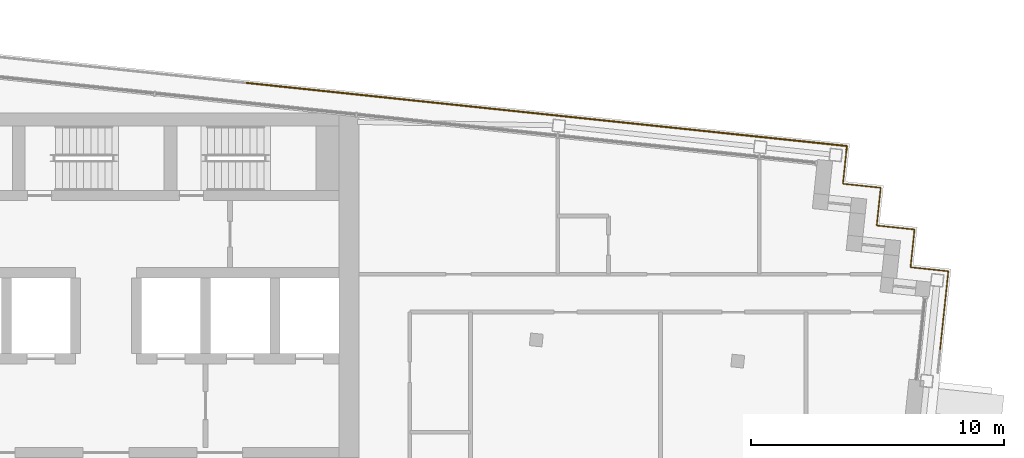
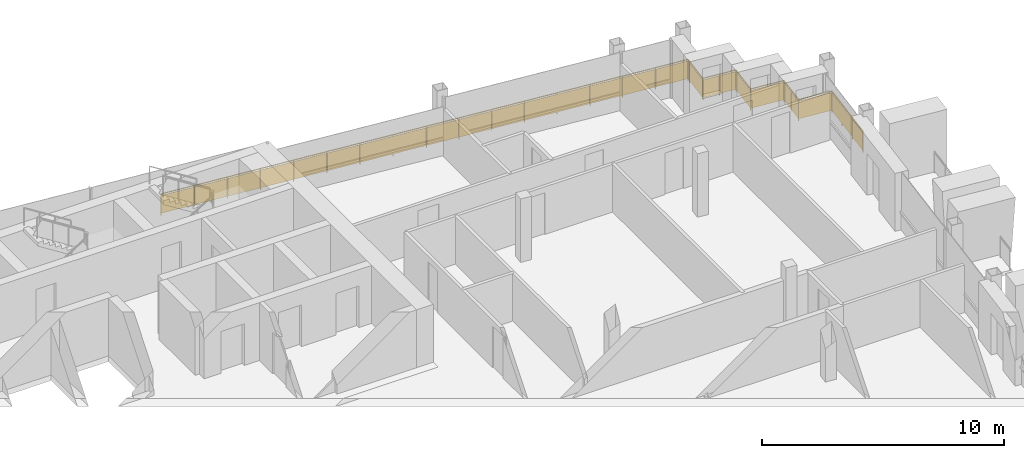
# One storey, part 17 of 17: 3 railings.
"""IFC4 building model written with IfcOpenShell, lengths in metres."""

from ifc_helpers import new_model, si_unit, direction, frame, origin, origin_2d, place, context, subcontext, project, spatial, rectangle, circle, extrude, material, type_object, element, save


model = new_model("IFC4")

# Units and contexts
model_context = context("Model", 3, precision=1e-05, world=origin(), true_north=direction((0.0, 1.0)))
body_context = subcontext(model_context, "Body", "Model", "MODEL_VIEW")
ifc_project = project(units=[si_unit("LENGTHUNIT", "METRE"), si_unit("AREAUNIT", "SQUARE_METRE"), si_unit("VOLUMEUNIT", "CUBIC_METRE"), si_unit("PLANEANGLEUNIT", "RADIAN"), si_unit("MASSUNIT", "GRAM", prefix="KILO")], contexts=[model_context])

# Site, building, storey
site_placement = place(None, origin())
site = spatial("IfcSite", under=ifc_project, at=site_placement, CompositionType="ELEMENT")
building_placement = place(site_placement, origin())
building = spatial("IfcBuilding", under=site, at=building_placement, Name="Vidyagriha Tower", CompositionType="ELEMENT")
storey_placement = place(building_placement, frame((0.0, 0.0, 269.10009765625)))
storey = spatial("IfcBuildingStorey", under=building, at=storey_placement, Name="L70", CompositionType="ELEMENT", Elevation=269.10009765625)

# Railings
ifc_material = material(Name="Steel ASTM A500 Grade C black painted", Category="steel")
railing_type = type_object("IfcRailingType", Name="Gallery guard 1100", PredefinedType="GUARDRAIL", material=ifc_material)
railing_1_placement = place(storey_placement, frame((5.55224609375, 21.196533203125, 0.0)))
element("IfcRailing", 1, at=railing_1_placement, inside=storey, type_object=railing_type, Name="Gallery guard L70 7", PredefinedType="GUARDRAIL", context=body_context, shape_type="SweptSolid", body=[
    extrude(circle(Radius=0.02490234375, at=origin_2d()), frame((0.0, 0.0, 1.0751953125), z_axis=(0.994521271903, -0.104534394972, 0.0), x_axis=(0.104534394972, 0.994521271903, 0.0)), (0.0, 0.0, 1.0), 11.999755859375),
    extrude(circle(Radius=0.02001953125, at=origin_2d()), origin(), (0.0, 0.0, 1.0), 1.050048828125),
    extrude(circle(Radius=0.02001953125, at=origin_2d()), frame((1.49169921875, -0.15673828125, 0.0)), (0.0, 0.0, 1.0), 1.050048828125),
    extrude(circle(Radius=0.02001953125, at=origin_2d()), frame((2.9833984375, -0.3134765625, 0.0)), (0.0, 0.0, 1.0), 1.050048828125),
    extrude(circle(Radius=0.02001953125, at=origin_2d()), frame((4.475341796875, -0.470458984375, 0.0)), (0.0, 0.0, 1.0), 1.050048828125),
    extrude(circle(Radius=0.02001953125, at=origin_2d()), frame((5.967041015625, -0.627197265625, 0.0)), (0.0, 0.0, 1.0), 1.050048828125),
    extrude(circle(Radius=0.02001953125, at=origin_2d()), frame((7.458740234375, -0.783935546875, 0.0)), (0.0, 0.0, 1.0), 1.050048828125),
    extrude(circle(Radius=0.02001953125, at=origin_2d()), frame((8.95068359375, -0.94091796875, 0.0)), (0.0, 0.0, 1.0), 1.050048828125),
    extrude(circle(Radius=0.02001953125, at=origin_2d()), frame((10.4423828125, -1.09765625, 0.0)), (0.0, 0.0, 1.0), 1.050048828125),
    extrude(circle(Radius=0.02001953125, at=origin_2d()), frame((11.93408203125, -1.25439453125, 0.0)), (0.0, 0.0, 1.0), 1.050048828125),
    extrude(rectangle(XDim=0.010009765625, YDim=0.900146484375, at=origin_2d()), frame((0.0, 0.0, 0.550048828125), z_axis=(0.994521271903, -0.104534394972, 0.0), x_axis=(0.104534394972, 0.994521271903, 0.0)), (0.0, 0.0, 1.0), 11.999755859375),
])
railing_2_placement = place(storey_placement, frame((17.486328125, 19.942138671875, 0.0)))
element("IfcRailing", 2, at=railing_2_placement, inside=storey, type_object=railing_type, Name="Gallery guard L70 8", PredefinedType="GUARDRAIL", context=body_context, shape_type="SweptSolid", body=[
    extrude(circle(Radius=0.02490234375, at=origin_2d()), frame((0.0, 0.0, 1.0751953125), z_axis=(0.994522500633, -0.104522704396, 0.0), x_axis=(0.104522704396, 0.994522500633, 0.0)), (0.0, 0.0, 1.0), 11.840087890625),
    extrude(circle(Radius=0.02490234375, at=origin_2d()), frame((11.775146484375, -1.237548828125, 1.0751953125), z_axis=(-0.105240535143, -0.994446795843, 0.0), x_axis=(0.994446795843, -0.105240535143, 0.0)), (0.0, 0.0, 1.0), 0.16015625),
    extrude(circle(Radius=0.02001953125, at=origin_2d()), origin(), (0.0, 0.0, 1.0), 1.050048828125),
    extrude(circle(Radius=0.02001953125, at=origin_2d()), frame((1.471923828125, -0.15478515625, 0.0)), (0.0, 0.0, 1.0), 1.050048828125),
    extrude(circle(Radius=0.02001953125, at=origin_2d()), frame((2.94384765625, -0.309326171875, 0.0)), (0.0, 0.0, 1.0), 1.050048828125),
    extrude(circle(Radius=0.02001953125, at=origin_2d()), frame((4.415771484375, -0.464111328125, 0.0)), (0.0, 0.0, 1.0), 1.050048828125),
    extrude(circle(Radius=0.02001953125, at=origin_2d()), frame((5.8876953125, -0.61865234375, 0.0)), (0.0, 0.0, 1.0), 1.050048828125),
    extrude(circle(Radius=0.02001953125, at=origin_2d()), frame((7.359375, -0.7734375, 0.0)), (0.0, 0.0, 1.0), 1.050048828125),
    extrude(circle(Radius=0.02001953125, at=origin_2d()), frame((8.831298828125, -0.92822265625, 0.0)), (0.0, 0.0, 1.0), 1.050048828125),
    extrude(circle(Radius=0.02001953125, at=origin_2d()), frame((10.30322265625, -1.082763671875, 0.0)), (0.0, 0.0, 1.0), 1.050048828125),
    extrude(circle(Radius=0.02001953125, at=origin_2d()), frame((11.775146484375, -1.237548828125, 0.0)), (0.0, 0.0, 1.0), 1.050048828125),
    extrude(circle(Radius=0.02001953125, at=origin_2d()), frame((11.75830078125, -1.396728515625, 0.0)), (0.0, 0.0, 1.0), 1.050048828125),
    extrude(rectangle(XDim=0.010009765625, YDim=0.900146484375, at=origin_2d()), frame((0.0, 0.0, 0.550048828125), z_axis=(0.994522500633, -0.104522704396, 0.0), x_axis=(0.104522704396, 0.994522500633, 0.0)), (0.0, 0.0, 1.0), 11.840087890625),
    extrude(rectangle(XDim=0.010009765625, YDim=0.900146484375, at=origin_2d()), frame((11.775146484375, -1.237548828125, 0.550048828125), z_axis=(-0.105240535143, -0.994446795843, 0.0), x_axis=(0.994446795843, -0.105240535143, 0.0)), (0.0, 0.0, 1.0), 0.16015625),
])
railing_3_placement = place(storey_placement, frame((29.24462890625, 18.54541015625, 0.0)))
element("IfcRailing", 3, at=railing_3_placement, inside=storey, type_object=railing_type, Name="Gallery guard L70 9", PredefinedType="GUARDRAIL", context=body_context, shape_type="SweptSolid", body=[
    extrude(circle(Radius=0.02490234375, at=origin_2d()), frame((0.0, 0.0, 1.0751953125), z_axis=(-0.104589933737, -0.994515432641, 0.0), x_axis=(0.994515432641, -0.104589933737, 0.0)), (0.0, 0.0, 1.0), 1.33984375),
    extrude(circle(Radius=0.02490234375, at=origin_2d()), frame((-0.14013671875, -1.33251953125, 1.0751953125), z_axis=(0.994509910675, -0.104642427191, 0.0), x_axis=(0.104642427191, 0.994509910675, 0.0)), (0.0, 0.0, 1.0), 1.500244140625),
    extrude(circle(Radius=0.02490234375, at=origin_2d()), frame((1.351806640625, -1.489501953125, 1.0751953125), z_axis=(-0.104498377516, -0.994525057048, 0.0), x_axis=(0.994525057048, -0.104498377516, 0.0)), (0.0, 0.0, 1.0), 1.5),
    extrude(circle(Radius=0.02490234375, at=origin_2d()), frame((1.195068359375, -2.981201171875, 1.0751953125), z_axis=(0.994525057048, -0.104498377516, 0.0), x_axis=(0.104498377516, 0.994525057048, 0.0)), (0.0, 0.0, 1.0), 1.5),
    extrude(circle(Radius=0.02490234375, at=origin_2d()), frame((2.686767578125, -3.137939453125, 1.0751953125), z_axis=(-0.104481464157, -0.994526834051, 0.0), x_axis=(0.994526834051, -0.104481464157, 0.0)), (0.0, 0.0, 1.0), 1.500244140625),
    extrude(circle(Radius=0.02490234375, at=origin_2d()), frame((2.530029296875, -4.6298828125, 1.0751953125), z_axis=(0.994525057048, -0.104498377516, 0.0), x_axis=(0.104498377516, 0.994525057048, 0.0)), (0.0, 0.0, 1.0), 1.5),
    extrude(circle(Radius=0.02490234375, at=origin_2d()), frame((4.021728515625, -4.78662109375, 1.0751953125), z_axis=(-0.104527942092, -0.994521950146, 0.0), x_axis=(0.994521950146, -0.104527942092, 0.0)), (0.0, 0.0, 1.0), 3.16015625),
    extrude(circle(Radius=0.02001953125, at=origin_2d()), origin(), (0.0, 0.0, 1.0), 1.050048828125),
    extrude(circle(Radius=0.02001953125, at=origin_2d()), frame((-0.14013671875, -1.33251953125, 0.0)), (0.0, 0.0, 1.0), 1.050048828125),
    extrude(circle(Radius=0.02001953125, at=origin_2d()), frame((0.60595703125, -1.4111328125, 0.0)), (0.0, 0.0, 1.0), 1.050048828125),
    extrude(circle(Radius=0.02001953125, at=origin_2d()), frame((1.351806640625, -1.489501953125, 0.0)), (0.0, 0.0, 1.0), 1.050048828125),
    extrude(circle(Radius=0.02001953125, at=origin_2d()), frame((1.195068359375, -2.981201171875, 0.0)), (0.0, 0.0, 1.0), 1.050048828125),
    extrude(circle(Radius=0.02001953125, at=origin_2d()), frame((2.686767578125, -3.137939453125, 0.0)), (0.0, 0.0, 1.0), 1.050048828125),
    extrude(circle(Radius=0.02001953125, at=origin_2d()), frame((2.6083984375, -3.8837890625, 0.0)), (0.0, 0.0, 1.0), 1.050048828125),
    extrude(circle(Radius=0.02001953125, at=origin_2d()), frame((2.530029296875, -4.6298828125, 0.0)), (0.0, 0.0, 1.0), 1.050048828125),
    extrude(circle(Radius=0.02001953125, at=origin_2d()), frame((4.021728515625, -4.78662109375, 0.0)), (0.0, 0.0, 1.0), 1.050048828125),
    extrude(circle(Radius=0.02001953125, at=origin_2d()), frame((3.91162109375, -5.834228515625, 0.0)), (0.0, 0.0, 1.0), 1.050048828125),
    extrude(circle(Radius=0.02001953125, at=origin_2d()), frame((3.801513671875, -6.8818359375, 0.0)), (0.0, 0.0, 1.0), 1.050048828125),
    extrude(circle(Radius=0.02001953125, at=origin_2d()), frame((3.69140625, -7.929443359375, 0.0)), (0.0, 0.0, 1.0), 1.050048828125),
    extrude(rectangle(XDim=0.010009765625, YDim=0.900146484375, at=origin_2d()), frame((0.0, 0.0, 0.550048828125), z_axis=(-0.104589933737, -0.994515432641, 0.0), x_axis=(0.994515432641, -0.104589933737, 0.0)), (0.0, 0.0, 1.0), 1.33984375),
    extrude(rectangle(XDim=0.010009765625, YDim=0.900146484375, at=origin_2d()), frame((-0.14013671875, -1.33251953125, 0.550048828125), z_axis=(0.994509910675, -0.104642427191, 0.0), x_axis=(0.104642427191, 0.994509910675, 0.0)), (0.0, 0.0, 1.0), 1.500244140625),
    extrude(rectangle(XDim=0.010009765625, YDim=0.900146484375, at=origin_2d()), frame((1.351806640625, -1.489501953125, 0.550048828125), z_axis=(-0.104498377516, -0.994525057048, 0.0), x_axis=(0.994525057048, -0.104498377516, 0.0)), (0.0, 0.0, 1.0), 1.5),
    extrude(rectangle(XDim=0.010009765625, YDim=0.900146484375, at=origin_2d()), frame((1.195068359375, -2.981201171875, 0.550048828125), z_axis=(0.994525057048, -0.104498377516, 0.0), x_axis=(0.104498377516, 0.994525057048, 0.0)), (0.0, 0.0, 1.0), 1.5),
    extrude(rectangle(XDim=0.010009765625, YDim=0.900146484375, at=origin_2d()), frame((2.686767578125, -3.137939453125, 0.550048828125), z_axis=(-0.104481464157, -0.994526834051, 0.0), x_axis=(0.994526834051, -0.104481464157, 0.0)), (0.0, 0.0, 1.0), 1.500244140625),
    extrude(rectangle(XDim=0.010009765625, YDim=0.900146484375, at=origin_2d()), frame((2.530029296875, -4.6298828125, 0.550048828125), z_axis=(0.994525057048, -0.104498377516, 0.0), x_axis=(0.104498377516, 0.994525057048, 0.0)), (0.0, 0.0, 1.0), 1.5),
    extrude(rectangle(XDim=0.010009765625, YDim=0.900146484375, at=origin_2d()), frame((4.021728515625, -4.78662109375, 0.550048828125), z_axis=(-0.104527942092, -0.994521950146, 0.0), x_axis=(0.994521950146, -0.104527942092, 0.0)), (0.0, 0.0, 1.0), 3.16015625),
])

save(model, "model.ifc")
